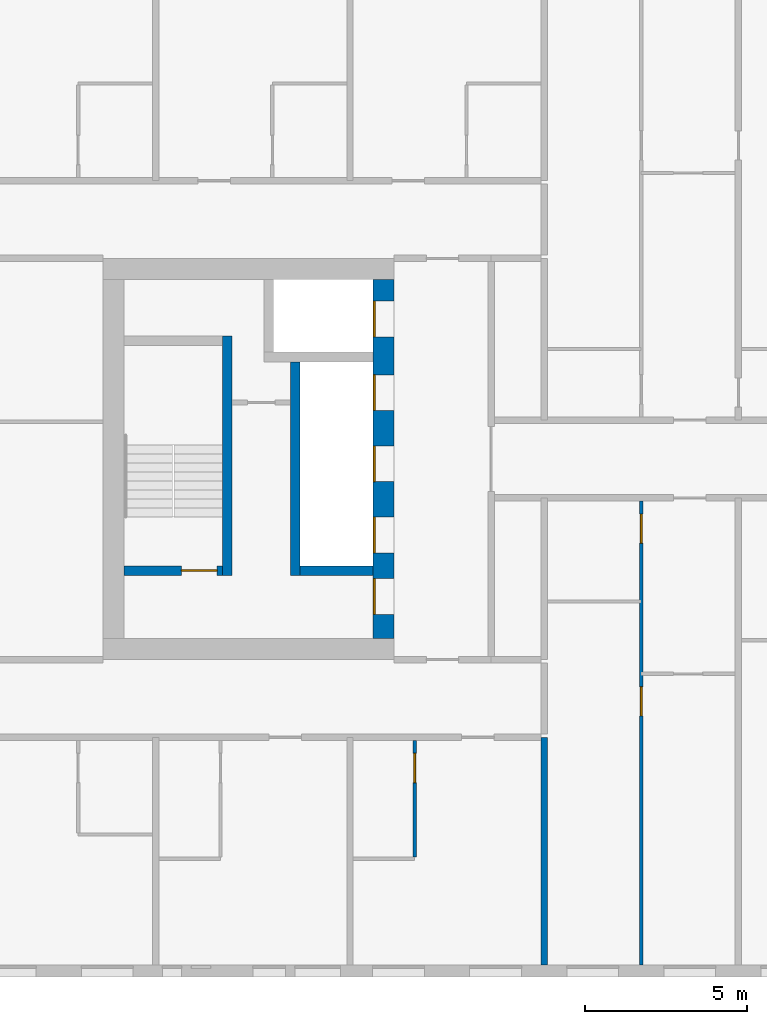
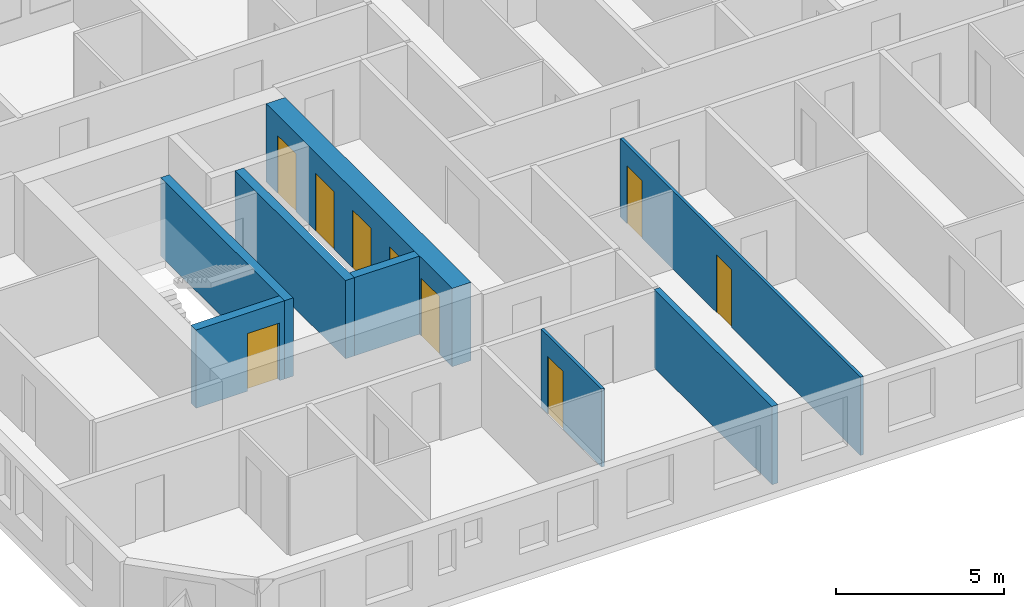
# One storey, part 3 of 17: 9 doors, 8 walls, 9 openings.
"""IFC4 building model written with IfcOpenShell, lengths in metres."""

from ifc_helpers import new_model, si_unit, direction, frame, frame_2d, origin, place, context, subcontext, project, spatial, rectangle, extrude, material, layer, layer_set, type_object, element, fill, save


model = new_model("IFC4")

# Units and contexts
model_context = context("Model", 3, precision=1e-05, world=origin(), true_north=direction((0.0, 1.0)))
body_context = subcontext(model_context, "Body", "Model", "MODEL_VIEW")
ifc_project = project(units=[si_unit("LENGTHUNIT", "METRE"), si_unit("AREAUNIT", "SQUARE_METRE"), si_unit("VOLUMEUNIT", "CUBIC_METRE"), si_unit("PLANEANGLEUNIT", "RADIAN"), si_unit("MASSUNIT", "GRAM", prefix="KILO")], contexts=[model_context])

# Site, building, storey
site_placement = place(None, origin())
site = spatial("IfcSite", under=ifc_project, at=site_placement, CompositionType="ELEMENT")
building_placement = place(site_placement, origin())
building = spatial("IfcBuilding", under=site, at=building_placement, Name="Tuart Gate Housing", CompositionType="ELEMENT")
storey_placement = place(building_placement, frame((0.0, 0.0, 102.60009765625)))
storey = spatial("IfcBuildingStorey", under=building, at=storey_placement, Name="L28", CompositionType="ELEMENT", Elevation=102.60009765625)

# Wall
ifc_material_1 = material(Name="Concrete C50", Category="concrete")
ifc_layer_1 = layer(ifc_material_1, 0.300048828125)
ifc_layer_set_1 = layer_set([ifc_layer_1], Name="Core wall 300 C50")
wall_type_1 = type_object("IfcWallType", Name="Core wall 300 C50", PredefinedType="SHEAR", material=ifc_layer_set_1)
wall_1_placement = place(storey_placement, frame((40.7099609375, 66.550048828125, 0.0), z_axis=(0.0, 0.0, 1.0), x_axis=(-1.0, 0.0, 0.0)))
element("IfcWall", 1, at=wall_1_placement, inside=storey, type_object=wall_type_1, Name="Core wall AK.4", PredefinedType="SHEAR", context=body_context, shape_type="SweptSolid", body=[
    extrude(rectangle(XDim=2.25, YDim=0.300048828125, at=frame_2d((1.125, 0.0))), origin(), (0.0, 0.0, 1.0), 2.849853515625),
])

# Wall, opening, door
wall_2_placement = place(storey_placement, frame((36.06005859375, 66.550048828125, 0.0), z_axis=(0.0, 0.0, 1.0), x_axis=(-1.0, 0.0, 0.0)))
wall_2 = element("IfcWall", 2, at=wall_2_placement, inside=storey, type_object=wall_type_1, Name="Core wall AK.5", PredefinedType="SHEAR", context=body_context, shape_type="SweptSolid", body=[
    extrude(rectangle(XDim=3.050048828125, YDim=0.300048828125, at=frame_2d((1.52490234375, 0.0))), origin(), (0.0, 0.0, 1.0), 2.849853515625),
])
opening_1_placement = place(wall_2_placement, frame((0.169921875, 0.0, 0.0)))
opening_1 = element("IfcOpeningElement", 3, at=opening_1_placement, cuts=wall_2, Name="Opening D1103", PredefinedType="OPENING", context=body_context, shape_type="SweptSolid", body=[
    extrude(rectangle(XDim=1.10009765625, YDim=2.10009765625, at=frame_2d((0.550048828125, 1.050048828125))), frame((0.0, 0.159912109375, 0.0), z_axis=(0.0, -1.0, 0.0), x_axis=(1.0, 0.0, 0.0)), (0.0, 0.0, 1.0), 0.320068359375),
])
ifc_material_2 = material(Name="Steel fire door", Category="steel")
door_type_1 = type_object("IfcDoorType", Name="Stair door 1100 x 2100 RH", OperationType="SINGLE_SWING_RIGHT", PredefinedType="DOOR", material=ifc_material_2)
door_1_placement = place(opening_1_placement, frame((1.10009765625, 0.0, 0.0), z_axis=(0.0, 0.0, 1.0), x_axis=(-1.0, 0.0, 0.0)))
door_1 = element("IfcDoor", 4, at=door_1_placement, inside=storey, type_object=door_type_1, Name="Stair door AK.SD", OperationType="SINGLE_SWING_RIGHT", OverallHeight=2.10009765625, OverallWidth=1.10009765625, PredefinedType="DOOR", context=body_context, shape_type="SweptSolid", body=[
    extrude(rectangle(XDim=1.10009765625, YDim=2.10009765625, at=frame_2d((0.550048828125, 1.050048828125))), frame((0.0, 0.025146484375, 0.0), z_axis=(0.0, -1.0, 0.0), x_axis=(1.0, 0.0, 0.0)), (0.0, 0.0, 1.0), 0.050048828125),
])
fill(opening_1, door_1)

# Walls
wall_3_placement = place(storey_placement, frame((38.31005859375, 73.0, 0.0), z_axis=(0.0, 0.0, 1.0), x_axis=(0.0, -1.0, 0.0)))
element("IfcWall", 5, at=wall_3_placement, inside=storey, type_object=wall_type_1, Name="Core wall AK.6", PredefinedType="SHEAR", context=body_context, shape_type="SweptSolid", body=[
    extrude(rectangle(XDim=6.60009765625, YDim=0.300048828125, at=frame_2d((3.300048828125, 0.0))), origin(), (0.0, 0.0, 1.0), 2.849853515625),
])
wall_4_placement = place(storey_placement, frame((36.2099609375, 73.800048828125, 0.0), z_axis=(0.0, 0.0, 1.0), x_axis=(0.0, -1.0, 0.0)))
element("IfcWall", 6, at=wall_4_placement, inside=storey, type_object=wall_type_1, Name="Core wall AK.8", PredefinedType="SHEAR", context=body_context, shape_type="SweptSolid", body=[
    extrude(rectangle(XDim=7.400146484375, YDim=0.300048828125, at=frame_2d((3.7001953125, 0.0))), origin(), (0.0, 0.0, 1.0), 2.849853515625),
])

# Wall, openings, doors
ifc_material_3 = material(Name="Concrete C50", Category="concrete")
ifc_layer_2 = layer(ifc_material_3, 0.64990234375)
ifc_layer_set_2 = layer_set([ifc_layer_2], Name="Core wall 650 C50")
wall_type_2 = type_object("IfcWallType", Name="Core wall 650 C50", PredefinedType="SHEAR", material=ifc_layer_set_2)
wall_5_placement = place(storey_placement, frame((41.034912109375, 75.550048828125, 0.0), z_axis=(0.0, 0.0, 1.0), x_axis=(0.0, -1.0, 0.0)))
wall_5 = element("IfcWall", 7, at=wall_5_placement, inside=storey, type_object=wall_type_2, Name="Core wall AK front", PredefinedType="SHEAR", context=body_context, shape_type="SweptSolid", body=[
    extrude(rectangle(XDim=11.10009765625, YDim=0.64990234375, at=frame_2d((5.550048828125, 0.0))), origin(), (0.0, 0.0, 1.0), 2.849853515625),
])
opening_2_placement = place(wall_5_placement, frame((0.675048828125, 0.0, 0.0)))
opening_2 = element("IfcOpeningElement", 8, at=opening_2_placement, cuts=wall_5, Name="Opening LD-FA2", PredefinedType="OPENING", context=body_context, shape_type="SweptSolid", body=[
    extrude(rectangle(XDim=1.10009765625, YDim=2.10009765625, at=frame_2d((0.550048828125, 1.050048828125))), frame((0.0, 0.3349609375, 0.0), z_axis=(0.0, -1.0, 0.0), x_axis=(1.0, 0.0, 0.0)), (0.0, 0.0, 1.0), 0.669921875),
])
opening_3_placement = place(wall_5_placement, frame((2.949951171875, 0.0, 0.0)))
opening_3 = element("IfcOpeningElement", 9, at=opening_3_placement, cuts=wall_5, Name="Opening LD-LA4", PredefinedType="OPENING", context=body_context, shape_type="SweptSolid", body=[
    extrude(rectangle(XDim=1.10009765625, YDim=2.10009765625, at=frame_2d((0.550048828125, 1.050048828125))), frame((0.0, 0.3349609375, 0.0), z_axis=(0.0, -1.0, 0.0), x_axis=(1.0, 0.0, 0.0)), (0.0, 0.0, 1.0), 0.669921875),
])
opening_4_placement = place(wall_5_placement, frame((5.14990234375, 0.0, 0.0)))
opening_4 = element("IfcOpeningElement", 10, at=opening_4_placement, cuts=wall_5, Name="Opening LD-LA5", PredefinedType="OPENING", context=body_context, shape_type="SweptSolid", body=[
    extrude(rectangle(XDim=1.10009765625, YDim=2.10009765625, at=frame_2d((0.550048828125, 1.050048828125))), frame((0.0, 0.3349609375, 0.0), z_axis=(0.0, -1.0, 0.0), x_axis=(1.0, 0.0, 0.0)), (0.0, 0.0, 1.0), 0.669921875),
])
opening_5_placement = place(wall_5_placement, frame((7.35009765625, 0.0, 0.0)))
opening_5 = element("IfcOpeningElement", 11, at=opening_5_placement, cuts=wall_5, Name="Opening LD-LA6", PredefinedType="OPENING", context=body_context, shape_type="SweptSolid", body=[
    extrude(rectangle(XDim=1.10009765625, YDim=2.10009765625, at=frame_2d((0.550048828125, 1.050048828125))), frame((0.0, 0.3349609375, 0.0), z_axis=(0.0, -1.0, 0.0), x_axis=(1.0, 0.0, 0.0)), (0.0, 0.0, 1.0), 0.669921875),
])
opening_6_placement = place(wall_5_placement, frame((9.25, 0.0, 0.0)))
opening_6 = element("IfcOpeningElement", 12, at=opening_6_placement, cuts=wall_5, Name="Opening D1094", PredefinedType="OPENING", context=body_context, shape_type="SweptSolid", body=[
    extrude(rectangle(XDim=1.10009765625, YDim=2.10009765625, at=frame_2d((0.550048828125, 1.050048828125))), frame((0.0, 0.3349609375, 0.0), z_axis=(0.0, -1.0, 0.0), x_axis=(1.0, 0.0, 0.0)), (0.0, 0.0, 1.0), 0.669921875),
])
ifc_material_4 = material(Name="Stainless steel", Category="steel")
door_type_2 = type_object("IfcDoorType", Name="Landing door 1100 x 2100", OperationType="DOUBLE_DOOR_SLIDING", PredefinedType="DOOR", material=ifc_material_4)
door_2_placement = place(opening_2_placement, origin())
door_2 = element("IfcDoor", 13, at=door_2_placement, inside=storey, type_object=door_type_2, Name="Lift landing door FA2", OperationType="DOUBLE_DOOR_SLIDING", OverallHeight=2.10009765625, OverallWidth=1.10009765625, PredefinedType="DOOR", context=body_context, shape_type="SweptSolid", body=[
    extrude(rectangle(XDim=1.10009765625, YDim=2.10009765625, at=frame_2d((0.550048828125, 1.050048828125))), frame((0.0, -0.259765625, 0.0), z_axis=(0.0, -1.0, 0.0), x_axis=(1.0, 0.0, 0.0)), (0.0, 0.0, 1.0), 0.050048828125),
])
fill(opening_2, door_2)
door_3_placement = place(opening_3_placement, origin())
door_3 = element("IfcDoor", 14, at=door_3_placement, inside=storey, type_object=door_type_2, Name="Lift landing door LA4", OperationType="DOUBLE_DOOR_SLIDING", OverallHeight=2.10009765625, OverallWidth=1.10009765625, PredefinedType="DOOR", context=body_context, shape_type="SweptSolid", body=[
    extrude(rectangle(XDim=1.10009765625, YDim=2.10009765625, at=frame_2d((0.550048828125, 1.050048828125))), frame((0.0, -0.259765625, 0.0), z_axis=(0.0, -1.0, 0.0), x_axis=(1.0, 0.0, 0.0)), (0.0, 0.0, 1.0), 0.050048828125),
])
fill(opening_3, door_3)
door_4_placement = place(opening_4_placement, origin())
door_4 = element("IfcDoor", 15, at=door_4_placement, inside=storey, type_object=door_type_2, Name="Lift landing door LA5", OperationType="DOUBLE_DOOR_SLIDING", OverallHeight=2.10009765625, OverallWidth=1.10009765625, PredefinedType="DOOR", context=body_context, shape_type="SweptSolid", body=[
    extrude(rectangle(XDim=1.10009765625, YDim=2.10009765625, at=frame_2d((0.550048828125, 1.050048828125))), frame((0.0, -0.259765625, 0.0), z_axis=(0.0, -1.0, 0.0), x_axis=(1.0, 0.0, 0.0)), (0.0, 0.0, 1.0), 0.050048828125),
])
fill(opening_4, door_4)
door_5_placement = place(opening_5_placement, origin())
door_5 = element("IfcDoor", 16, at=door_5_placement, inside=storey, type_object=door_type_2, Name="Lift landing door LA6", OperationType="DOUBLE_DOOR_SLIDING", OverallHeight=2.10009765625, OverallWidth=1.10009765625, PredefinedType="DOOR", context=body_context, shape_type="SweptSolid", body=[
    extrude(rectangle(XDim=1.10009765625, YDim=2.10009765625, at=frame_2d((0.550048828125, 1.050048828125))), frame((0.0, -0.259765625, 0.0), z_axis=(0.0, -1.0, 0.0), x_axis=(1.0, 0.0, 0.0)), (0.0, 0.0, 1.0), 0.050048828125),
])
fill(opening_5, door_5)
ifc_material_5 = material(Name="Steel fire door", Category="steel")
door_type_3 = type_object("IfcDoorType", Name="Lobby door 1100 x 2100 RH", OperationType="SINGLE_SWING_RIGHT", PredefinedType="DOOR", material=ifc_material_5)
door_6_placement = place(opening_6_placement, frame((1.10009765625, 0.0, 0.0), z_axis=(0.0, 0.0, 1.0), x_axis=(-1.0, 0.0, 0.0)))
door_6 = element("IfcDoor", 17, at=door_6_placement, inside=storey, type_object=door_type_3, Name="Lobby entry door AK.EN", OperationType="SINGLE_SWING_RIGHT", OverallHeight=2.10009765625, OverallWidth=1.10009765625, PredefinedType="DOOR", context=body_context, shape_type="SweptSolid", body=[
    extrude(rectangle(XDim=1.10009765625, YDim=2.10009765625, at=frame_2d((0.550048828125, 1.050048828125))), frame((0.0, 0.309814453125, 0.0), z_axis=(0.0, -1.0, 0.0), x_axis=(1.0, 0.0, 0.0)), (0.0, 0.0, 1.0), 0.050048828125),
])
fill(opening_6, door_6)

# Wall, opening, door
ifc_material_6 = material(Name="Gypsum board on steel studs", Category="steel")
ifc_layer_3 = layer(ifc_material_6, 0.10009765625)
ifc_layer_set_3 = layer_set([ifc_layer_3], Name="Partition 100")
wall_type_3 = type_object("IfcWallType", Name="Partition 100", PredefinedType="PARTITIONING", material=ifc_layer_set_3)
wall_6_placement = place(storey_placement, frame((42.0, 57.699951171875, 0.0), z_axis=(0.0, 0.0, 1.0), x_axis=(0.0, 1.0, 0.0)))
wall_6 = element("IfcWall", 18, at=wall_6_placement, inside=storey, type_object=wall_type_3, Name="Partition 100", PredefinedType="PARTITIONING", context=body_context, shape_type="SweptSolid", body=[
    extrude(rectangle(XDim=3.60009765625, YDim=0.10009765625, at=frame_2d((1.800048828125, 0.0))), origin(), (0.0, 0.0, 1.0), 2.849853515625),
])
opening_7_placement = place(wall_6_placement, frame((2.300048828125, 0.0, 0.0)))
opening_7 = element("IfcOpeningElement", 19, at=opening_7_placement, cuts=wall_6, Name="Opening D1122", PredefinedType="OPENING", context=body_context, shape_type="SweptSolid", body=[
    extrude(rectangle(XDim=0.89990234375, YDim=2.10009765625, at=frame_2d((0.449951171875, 1.050048828125))), frame((0.0, 0.06005859375, 0.0), z_axis=(0.0, -1.0, 0.0), x_axis=(1.0, 0.0, 0.0)), (0.0, 0.0, 1.0), 0.1201171875),
])
ifc_material_7 = material(Name="Timber door leaf in steel frame", Category="steel")
door_type_4 = type_object("IfcDoorType", Name="Bathroom door 900 RH", OperationType="SINGLE_SWING_RIGHT", PredefinedType="DOOR", material=ifc_material_7)
door_7_placement = place(opening_7_placement, origin())
door_7 = element("IfcDoor", 20, at=door_7_placement, inside=storey, type_object=door_type_4, Name="Bathroom door", OperationType="SINGLE_SWING_RIGHT", OverallHeight=2.10009765625, OverallWidth=0.89990234375, PredefinedType="DOOR", context=body_context, shape_type="SweptSolid", body=[
    extrude(rectangle(XDim=0.89990234375, YDim=2.10009765625, at=frame_2d((0.449951171875, 1.050048828125))), frame((0.0, 0.02490234375, 0.0), z_axis=(0.0, -1.0, 0.0), x_axis=(1.0, 0.0, 0.0)), (0.0, 0.0, 1.0), 0.050048828125),
])
fill(opening_7, door_7)

# Wall, openings, doors
wall_7_placement = place(storey_placement, frame((49.0, 54.360107421875, 0.0), z_axis=(0.0, 0.0, 1.0), x_axis=(0.0, 1.0, 0.0)))
wall_7 = element("IfcWall", 21, at=wall_7_placement, inside=storey, type_object=wall_type_3, Name="Partition 100", PredefinedType="PARTITIONING", context=body_context, shape_type="SweptSolid", body=[
    extrude(rectangle(XDim=14.33984375, YDim=0.10009765625, at=frame_2d((7.169921875, 0.0))), origin(), (0.0, 0.0, 1.0), 2.849853515625),
])
opening_8_placement = place(wall_7_placement, frame((7.699951171875, 0.0, 0.0)))
opening_8 = element("IfcOpeningElement", 22, at=opening_8_placement, cuts=wall_7, Name="Opening D1108", PredefinedType="OPENING", context=body_context, shape_type="SweptSolid", body=[
    extrude(rectangle(XDim=0.89990234375, YDim=2.10009765625, at=frame_2d((0.449951171875, 1.050048828125))), frame((0.0, 0.06005859375, 0.0), z_axis=(0.0, -1.0, 0.0), x_axis=(1.0, 0.0, 0.0)), (0.0, 0.0, 1.0), 0.1201171875),
])
opening_9_placement = place(wall_7_placement, frame((13.0400390625, 0.0, 0.0)))
opening_9 = element("IfcOpeningElement", 23, at=opening_9_placement, cuts=wall_7, Name="Opening D1107", PredefinedType="OPENING", context=body_context, shape_type="SweptSolid", body=[
    extrude(rectangle(XDim=0.89990234375, YDim=2.10009765625, at=frame_2d((0.449951171875, 1.050048828125))), frame((0.0, 0.06005859375, 0.0), z_axis=(0.0, -1.0, 0.0), x_axis=(1.0, 0.0, 0.0)), (0.0, 0.0, 1.0), 0.1201171875),
])
door_8_placement = place(opening_9_placement, origin())
door_8 = element("IfcDoor", 24, at=door_8_placement, inside=storey, type_object=door_type_4, Name="Bathroom door", OperationType="SINGLE_SWING_RIGHT", OverallHeight=2.10009765625, OverallWidth=0.89990234375, PredefinedType="DOOR", context=body_context, shape_type="SweptSolid", body=[
    extrude(rectangle(XDim=0.89990234375, YDim=2.10009765625, at=frame_2d((0.449951171875, 1.050048828125))), frame((0.0, 0.02490234375, 0.0), z_axis=(0.0, -1.0, 0.0), x_axis=(1.0, 0.0, 0.0)), (0.0, 0.0, 1.0), 0.050048828125),
])
fill(opening_9, door_8)
ifc_material_8 = material(Name="Timber door leaf in steel frame", Category="steel")
door_type_5 = type_object("IfcDoorType", Name="Internal door 900 RH", OperationType="SINGLE_SWING_RIGHT", PredefinedType="DOOR", material=ifc_material_8)
door_9_placement = place(opening_8_placement, origin())
door_9 = element("IfcDoor", 25, at=door_9_placement, inside=storey, type_object=door_type_5, Name="Internal door", OperationType="SINGLE_SWING_RIGHT", OverallHeight=2.10009765625, OverallWidth=0.89990234375, PredefinedType="DOOR", context=body_context, shape_type="SweptSolid", body=[
    extrude(rectangle(XDim=0.89990234375, YDim=2.10009765625, at=frame_2d((0.449951171875, 1.050048828125))), frame((0.0, 0.02490234375, 0.0), z_axis=(0.0, -1.0, 0.0), x_axis=(1.0, 0.0, 0.0)), (0.0, 0.0, 1.0), 0.050048828125),
])
fill(opening_8, door_9)

# Wall
ifc_material_9 = material(Name="Concrete C40", Category="concrete")
ifc_layer_4 = layer(ifc_material_9, 0.199951171875)
ifc_layer_set_4 = layer_set([ifc_layer_4], Name="Party wall concrete C40 200")
wall_type_4 = type_object("IfcWallType", Name="Party wall concrete C40 200", PredefinedType="SOLIDWALL", material=ifc_layer_set_4)
wall_8_placement = place(storey_placement, frame((46.0, 54.360107421875, 0.0), z_axis=(0.0, 0.0, 1.0), x_axis=(0.0, 1.0, 0.0)))
element("IfcWall", 26, at=wall_8_placement, inside=storey, type_object=wall_type_4, Name="Party wall concrete C40 200", PredefinedType="SOLIDWALL", context=body_context, shape_type="SweptSolid", body=[
    extrude(rectangle(XDim=7.039794921875, YDim=0.199951171875, at=frame_2d((3.52001953125, 0.0))), origin(), (0.0, 0.0, 1.0), 2.849853515625),
])

save(model, "model.ifc")
